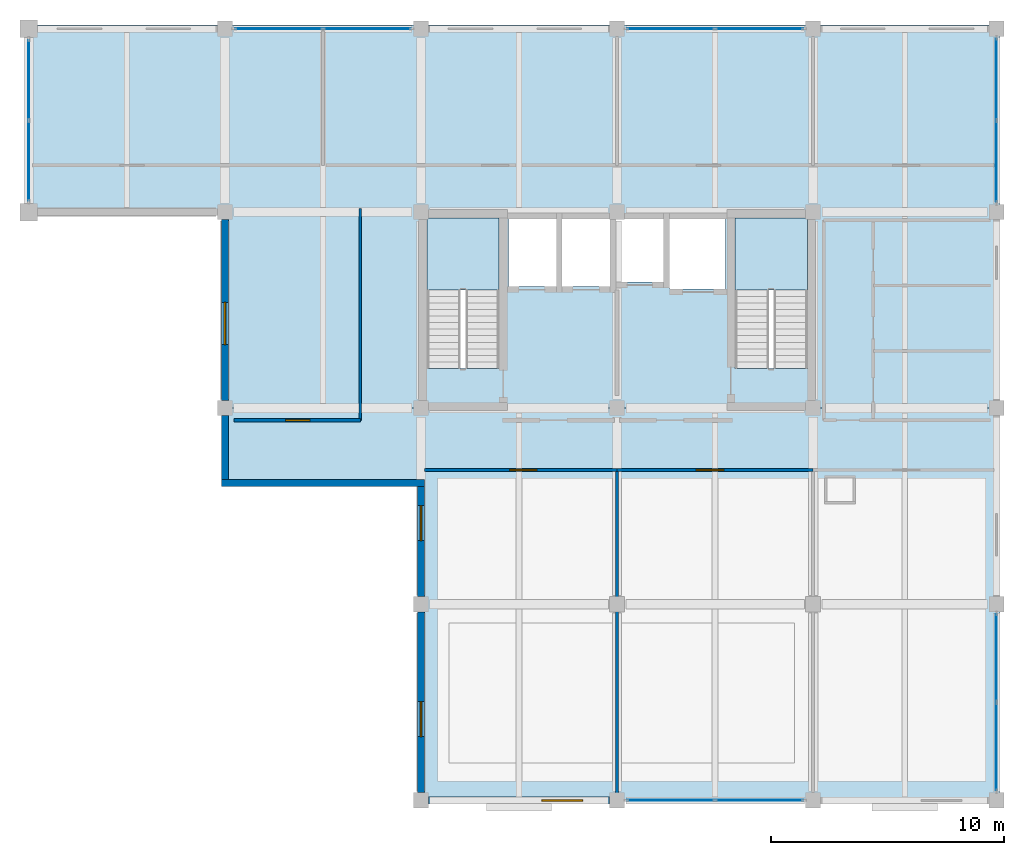
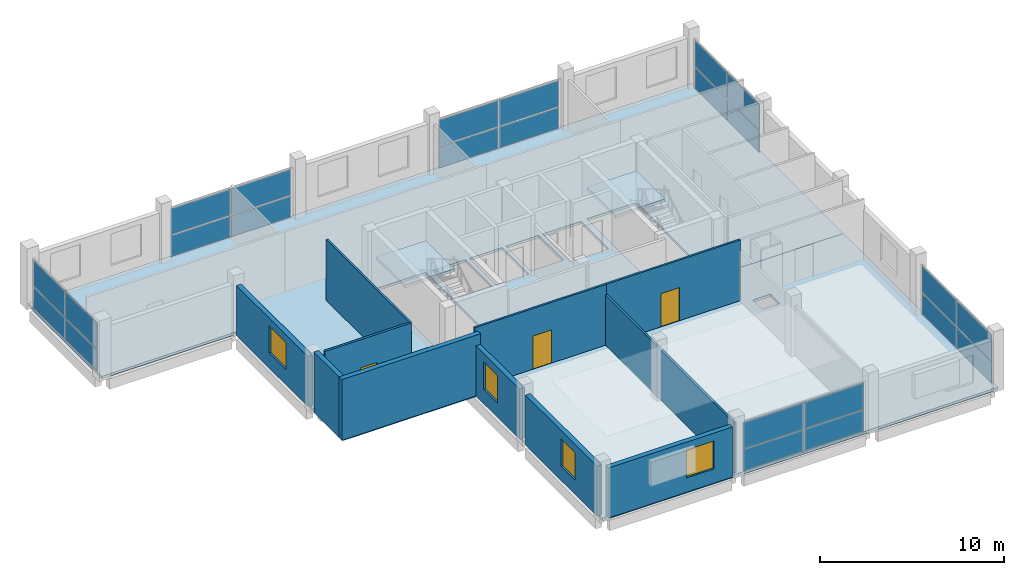
# One storey, part 6 of 9: 24 plates, 11 walls, 4 slabs, 4 windows, 3 doors, 7 openings, 8 elements without a shape of their own.
"""IFC4 building model written with IfcOpenShell, lengths in metres."""

from ifc_helpers import new_model, si_unit, direction, frame, frame_2d, origin, origin_2d, place, context, subcontext, project, spatial, polyline, rectangle, outline, extrude, material, layer, layer_set, type_object, element, fill, aggregate, save


model = new_model("IFC4")

# Units and contexts
model_context = context("Model", 3, precision=1e-05, world=origin(), true_north=direction((0.0, 1.0)))
body_context = subcontext(model_context, "Body", "Model", "MODEL_VIEW")
ifc_project = project(units=[si_unit("LENGTHUNIT", "METRE"), si_unit("AREAUNIT", "SQUARE_METRE"), si_unit("VOLUMEUNIT", "CUBIC_METRE"), si_unit("PLANEANGLEUNIT", "RADIAN"), si_unit("MASSUNIT", "GRAM", prefix="KILO")], contexts=[model_context])

# Site, building, storey
site_placement = place(None, origin())
site = spatial("IfcSite", under=ifc_project, at=site_placement, CompositionType="ELEMENT")
building_placement = place(site_placement, origin())
building = spatial("IfcBuilding", under=site, at=building_placement, Name="Brinegate Botanical Conservatory", CompositionType="ELEMENT")
storey_placement = place(building_placement, frame((0.0, 0.0, 57.0)))
storey = spatial("IfcBuildingStorey", under=building, at=storey_placement, Name="L14", CompositionType="ELEMENT", Elevation=57.0)

# Curtain wall, plates
ifc_material_1 = material(Name="Thermally broken anodised aluminium AW-6063-T6", Category="aluminium")
curtain_wall_type = type_object("IfcCurtainWallType", Name="CW_CW-TW1", PredefinedType="USERDEFINED", material=ifc_material_1)
curtain_wall_1_placement = place(storey_placement, origin())
curtain_wall_1 = element("IfcCurtainWall", 1, at=curtain_wall_1_placement, inside=storey, type_object=curtain_wall_type, Name="Research lab north curtain wall L14.2", ObjectType="FACTORY CURTAIN WALL", PredefinedType="USERDEFINED")
ifc_material_2 = material(Name="Double-silver Low-E laminated safety glass", Category="glass")
ifc_layer_1 = layer(ifc_material_2, 0.035888671875, Name="Double-silver Low-E laminated safety glass", Category="glass")
ifc_layer_set_1 = layer_set([ifc_layer_1], Name="Double-silver Low-E laminated safety glass")
plate_type = type_object("IfcPlateType", Name="Plate_PN-36", PredefinedType="CURTAIN_PANEL", material=ifc_layer_set_1)
plate_1_placement = place(storey_placement, frame((132.699951171875, 111.449951171875, 0.06982421875), z_axis=(0.0, 0.0, 1.0), x_axis=(1.0, 0.0, 0.0)))
plate_1 = element("IfcPlate", 2, at=plate_1_placement, type_object=plate_type, Name="CW-TW1 panel 1.1", PredefinedType="CURTAIN_PANEL", context=body_context, shape_type="SweptSolid", body=[
    extrude(rectangle(XDim=3.72998046875, YDim=0.035888671875, at=origin_2d()), origin(), (0.0, 0.0, 1.0), 1.388916015625),
])
plate_2_placement = place(storey_placement, frame((132.699951171875, 111.449951171875, 1.52880859375), z_axis=(0.0, 0.0, 1.0), x_axis=(1.0, 0.0, 0.0)))
plate_2 = element("IfcPlate", 3, at=plate_2_placement, type_object=plate_type, Name="CW-TW1 panel 1.2", PredefinedType="CURTAIN_PANEL", context=body_context, shape_type="SweptSolid", body=[
    extrude(rectangle(XDim=3.72998046875, YDim=0.035888671875, at=origin_2d()), origin(), (0.0, 0.0, 1.0), 1.720947265625),
])
plate_3_placement = place(storey_placement, frame((136.5, 111.449951171875, 0.06982421875), z_axis=(0.0, 0.0, 1.0), x_axis=(1.0, 0.0, 0.0)))
plate_3 = element("IfcPlate", 4, at=plate_3_placement, type_object=plate_type, Name="CW-TW1 panel 2.1", PredefinedType="CURTAIN_PANEL", context=body_context, shape_type="SweptSolid", body=[
    extrude(rectangle(XDim=3.72998046875, YDim=0.035888671875, at=origin_2d()), origin(), (0.0, 0.0, 1.0), 1.388916015625),
])
plate_4_placement = place(storey_placement, frame((136.5, 111.449951171875, 1.52880859375), z_axis=(0.0, 0.0, 1.0), x_axis=(1.0, 0.0, 0.0)))
plate_4 = element("IfcPlate", 5, at=plate_4_placement, type_object=plate_type, Name="CW-TW1 panel 2.2", PredefinedType="CURTAIN_PANEL", context=body_context, shape_type="SweptSolid", body=[
    extrude(rectangle(XDim=3.72998046875, YDim=0.035888671875, at=origin_2d()), origin(), (0.0, 0.0, 1.0), 1.720947265625),
])
aggregate(curtain_wall_1, [plate_1, plate_2, plate_3, plate_4])

curtain_wall_2_placement = place(storey_placement, origin())
curtain_wall_2 = element("IfcCurtainWall", 6, at=curtain_wall_2_placement, inside=storey, type_object=curtain_wall_type, Name="Research lab north curtain wall L14.4", ObjectType="FACTORY CURTAIN WALL", PredefinedType="USERDEFINED")
plate_5_placement = place(storey_placement, frame((149.5, 111.449951171875, 0.06982421875), z_axis=(0.0, 0.0, 1.0), x_axis=(1.0, 0.0, 0.0)))
plate_5 = element("IfcPlate", 7, at=plate_5_placement, type_object=plate_type, Name="CW-TW1 panel 1.1", PredefinedType="CURTAIN_PANEL", context=body_context, shape_type="SweptSolid", body=[
    extrude(rectangle(XDim=3.72998046875, YDim=0.035888671875, at=origin_2d()), origin(), (0.0, 0.0, 1.0), 1.388916015625),
])
plate_6_placement = place(storey_placement, frame((149.5, 111.449951171875, 1.52880859375), z_axis=(0.0, 0.0, 1.0), x_axis=(1.0, 0.0, 0.0)))
plate_6 = element("IfcPlate", 8, at=plate_6_placement, type_object=plate_type, Name="CW-TW1 panel 1.2", PredefinedType="CURTAIN_PANEL", context=body_context, shape_type="SweptSolid", body=[
    extrude(rectangle(XDim=3.72998046875, YDim=0.035888671875, at=origin_2d()), origin(), (0.0, 0.0, 1.0), 1.720947265625),
])
plate_7_placement = place(storey_placement, frame((153.300048828125, 111.449951171875, 0.06982421875), z_axis=(0.0, 0.0, 1.0), x_axis=(1.0, 0.0, 0.0)))
plate_7 = element("IfcPlate", 9, at=plate_7_placement, type_object=plate_type, Name="CW-TW1 panel 2.1", PredefinedType="CURTAIN_PANEL", context=body_context, shape_type="SweptSolid", body=[
    extrude(rectangle(XDim=3.72998046875, YDim=0.035888671875, at=origin_2d()), origin(), (0.0, 0.0, 1.0), 1.388916015625),
])
plate_8_placement = place(storey_placement, frame((153.300048828125, 111.449951171875, 1.52880859375), z_axis=(0.0, 0.0, 1.0), x_axis=(1.0, 0.0, 0.0)))
plate_8 = element("IfcPlate", 10, at=plate_8_placement, type_object=plate_type, Name="CW-TW1 panel 2.2", PredefinedType="CURTAIN_PANEL", context=body_context, shape_type="SweptSolid", body=[
    extrude(rectangle(XDim=3.72998046875, YDim=0.035888671875, at=origin_2d()), origin(), (0.0, 0.0, 1.0), 1.720947265625),
])
aggregate(curtain_wall_2, [plate_5, plate_6, plate_7, plate_8])

curtain_wall_3_placement = place(storey_placement, origin())
curtain_wall_3 = element("IfcCurtainWall", 11, at=curtain_wall_3_placement, inside=storey, type_object=curtain_wall_type, Name="Tower south curtain wall L14.2", ObjectType="FACTORY CURTAIN WALL", PredefinedType="USERDEFINED")
plate_9_placement = place(storey_placement, frame((153.300048828125, 78.39990234375, 0.06982421875), z_axis=(0.0, 0.0, 1.0), x_axis=(-1.0, 0.0, 0.0)))
plate_9 = element("IfcPlate", 12, at=plate_9_placement, type_object=plate_type, Name="CW-TW1 panel 1.1", PredefinedType="CURTAIN_PANEL", context=body_context, shape_type="SweptSolid", body=[
    extrude(rectangle(XDim=3.72998046875, YDim=0.035888671875, at=origin_2d()), origin(), (0.0, 0.0, 1.0), 1.388916015625),
])
plate_10_placement = place(storey_placement, frame((153.300048828125, 78.39990234375, 1.52880859375), z_axis=(0.0, 0.0, 1.0), x_axis=(-1.0, 0.0, 0.0)))
plate_10 = element("IfcPlate", 13, at=plate_10_placement, type_object=plate_type, Name="CW-TW1 panel 1.2", PredefinedType="CURTAIN_PANEL", context=body_context, shape_type="SweptSolid", body=[
    extrude(rectangle(XDim=3.72998046875, YDim=0.035888671875, at=origin_2d()), origin(), (0.0, 0.0, 1.0), 1.720947265625),
])
plate_11_placement = place(storey_placement, frame((149.5, 78.39990234375, 0.06982421875), z_axis=(0.0, 0.0, 1.0), x_axis=(-1.0, 0.0, 0.0)))
plate_11 = element("IfcPlate", 14, at=plate_11_placement, type_object=plate_type, Name="CW-TW1 panel 2.1", PredefinedType="CURTAIN_PANEL", context=body_context, shape_type="SweptSolid", body=[
    extrude(rectangle(XDim=3.72998046875, YDim=0.035888671875, at=origin_2d()), origin(), (0.0, 0.0, 1.0), 1.388916015625),
])
plate_12_placement = place(storey_placement, frame((149.5, 78.39990234375, 1.52880859375), z_axis=(0.0, 0.0, 1.0), x_axis=(-1.0, 0.0, 0.0)))
plate_12 = element("IfcPlate", 15, at=plate_12_placement, type_object=plate_type, Name="CW-TW1 panel 2.2", PredefinedType="CURTAIN_PANEL", context=body_context, shape_type="SweptSolid", body=[
    extrude(rectangle(XDim=3.72998046875, YDim=0.035888671875, at=origin_2d()), origin(), (0.0, 0.0, 1.0), 1.720947265625),
])
aggregate(curtain_wall_3, [plate_9, plate_10, plate_11, plate_12])

curtain_wall_4_placement = place(storey_placement, origin())
curtain_wall_4 = element("IfcCurtainWall", 16, at=curtain_wall_4_placement, inside=storey, type_object=curtain_wall_type, Name="Tower east curtain wall L14.1", ObjectType="FACTORY CURTAIN WALL", PredefinedType="USERDEFINED")
plate_13_placement = place(storey_placement, frame((163.449951171875, 84.5, 0.06982421875), z_axis=(0.0, 0.0, 1.0), x_axis=(0.0, -1.0, 0.0)))
plate_13 = element("IfcPlate", 17, at=plate_13_placement, type_object=plate_type, Name="CW-TW1 panel 1.1", PredefinedType="CURTAIN_PANEL", context=body_context, shape_type="SweptSolid", body=[
    extrude(rectangle(XDim=3.72998046875, YDim=0.035888671875, at=origin_2d()), origin(), (0.0, 0.0, 1.0), 1.388916015625),
])
plate_14_placement = place(storey_placement, frame((163.449951171875, 84.5, 1.52880859375), z_axis=(0.0, 0.0, 1.0), x_axis=(0.0, -1.0, 0.0)))
plate_14 = element("IfcPlate", 18, at=plate_14_placement, type_object=plate_type, Name="CW-TW1 panel 1.2", PredefinedType="CURTAIN_PANEL", context=body_context, shape_type="SweptSolid", body=[
    extrude(rectangle(XDim=3.72998046875, YDim=0.035888671875, at=origin_2d()), origin(), (0.0, 0.0, 1.0), 1.720947265625),
])
plate_15_placement = place(storey_placement, frame((163.449951171875, 80.699951171875, 0.06982421875), z_axis=(0.0, 0.0, 1.0), x_axis=(0.0, -1.0, 0.0)))
plate_15 = element("IfcPlate", 19, at=plate_15_placement, type_object=plate_type, Name="CW-TW1 panel 2.1", PredefinedType="CURTAIN_PANEL", context=body_context, shape_type="SweptSolid", body=[
    extrude(rectangle(XDim=3.72998046875, YDim=0.035888671875, at=origin_2d()), origin(), (0.0, 0.0, 1.0), 1.388916015625),
])
plate_16_placement = place(storey_placement, frame((163.449951171875, 80.699951171875, 1.52880859375), z_axis=(0.0, 0.0, 1.0), x_axis=(0.0, -1.0, 0.0)))
plate_16 = element("IfcPlate", 20, at=plate_16_placement, type_object=plate_type, Name="CW-TW1 panel 2.2", PredefinedType="CURTAIN_PANEL", context=body_context, shape_type="SweptSolid", body=[
    extrude(rectangle(XDim=3.72998046875, YDim=0.035888671875, at=origin_2d()), origin(), (0.0, 0.0, 1.0), 1.720947265625),
])
aggregate(curtain_wall_4, [plate_13, plate_14, plate_15, plate_16])

curtain_wall_5_placement = place(storey_placement, origin())
curtain_wall_5 = element("IfcCurtainWall", 21, at=curtain_wall_5_placement, inside=storey, type_object=curtain_wall_type, Name="Tower east curtain wall L14.4", ObjectType="FACTORY CURTAIN WALL", PredefinedType="USERDEFINED")
plate_17_placement = place(storey_placement, frame((163.449951171875, 109.28759765625, 0.06982421875), z_axis=(0.0, 0.0, 1.0), x_axis=(0.0, -1.0, 0.0)))
plate_17 = element("IfcPlate", 22, at=plate_17_placement, type_object=plate_type, Name="CW-TW1 panel 1.1", PredefinedType="CURTAIN_PANEL", context=body_context, shape_type="SweptSolid", body=[
    extrude(rectangle(XDim=3.455078125, YDim=0.035888671875, at=origin_2d()), origin(), (0.0, 0.0, 1.0), 1.388916015625),
])
plate_18_placement = place(storey_placement, frame((163.449951171875, 109.28759765625, 1.52880859375), z_axis=(0.0, 0.0, 1.0), x_axis=(0.0, -1.0, 0.0)))
plate_18 = element("IfcPlate", 23, at=plate_18_placement, type_object=plate_type, Name="CW-TW1 panel 1.2", PredefinedType="CURTAIN_PANEL", context=body_context, shape_type="SweptSolid", body=[
    extrude(rectangle(XDim=3.455078125, YDim=0.035888671875, at=origin_2d()), origin(), (0.0, 0.0, 1.0), 1.720947265625),
])
plate_19_placement = place(storey_placement, frame((163.449951171875, 105.762451171875, 0.06982421875), z_axis=(0.0, 0.0, 1.0), x_axis=(0.0, -1.0, 0.0)))
plate_19 = element("IfcPlate", 24, at=plate_19_placement, type_object=plate_type, Name="CW-TW1 panel 2.1", PredefinedType="CURTAIN_PANEL", context=body_context, shape_type="SweptSolid", body=[
    extrude(rectangle(XDim=3.455078125, YDim=0.035888671875, at=origin_2d()), origin(), (0.0, 0.0, 1.0), 1.388916015625),
])
plate_20_placement = place(storey_placement, frame((163.449951171875, 105.762451171875, 1.52880859375), z_axis=(0.0, 0.0, 1.0), x_axis=(0.0, -1.0, 0.0)))
plate_20 = element("IfcPlate", 25, at=plate_20_placement, type_object=plate_type, Name="CW-TW1 panel 2.2", PredefinedType="CURTAIN_PANEL", context=body_context, shape_type="SweptSolid", body=[
    extrude(rectangle(XDim=3.455078125, YDim=0.035888671875, at=origin_2d()), origin(), (0.0, 0.0, 1.0), 1.720947265625),
])
aggregate(curtain_wall_5, [plate_17, plate_18, plate_19, plate_20])

curtain_wall_6_placement = place(storey_placement, origin())
curtain_wall_6 = element("IfcCurtainWall", 26, at=curtain_wall_6_placement, inside=storey, type_object=curtain_wall_type, Name="Tower north-west curtain wall L14", ObjectType="FACTORY CURTAIN WALL", PredefinedType="USERDEFINED")
plate_21_placement = place(storey_placement, frame((122.0, 105.78759765625, 0.06982421875), z_axis=(0.0, 0.0, 1.0), x_axis=(0.0, 1.0, 0.0)))
plate_21 = element("IfcPlate", 27, at=plate_21_placement, type_object=plate_type, Name="CW-TW1 panel 1.1", PredefinedType="CURTAIN_PANEL", context=body_context, shape_type="SweptSolid", body=[
    extrude(rectangle(XDim=3.405029296875, YDim=0.035888671875, at=origin_2d()), origin(), (0.0, 0.0, 1.0), 1.388916015625),
])
plate_22_placement = place(storey_placement, frame((122.0, 105.78759765625, 1.52880859375), z_axis=(0.0, 0.0, 1.0), x_axis=(0.0, 1.0, 0.0)))
plate_22 = element("IfcPlate", 28, at=plate_22_placement, type_object=plate_type, Name="CW-TW1 panel 1.2", PredefinedType="CURTAIN_PANEL", context=body_context, shape_type="SweptSolid", body=[
    extrude(rectangle(XDim=3.405029296875, YDim=0.035888671875, at=origin_2d()), origin(), (0.0, 0.0, 1.0), 1.720947265625),
])
plate_23_placement = place(storey_placement, frame((122.0, 109.262451171875, 0.06982421875), z_axis=(0.0, 0.0, 1.0), x_axis=(0.0, 1.0, 0.0)))
plate_23 = element("IfcPlate", 29, at=plate_23_placement, type_object=plate_type, Name="CW-TW1 panel 2.1", PredefinedType="CURTAIN_PANEL", context=body_context, shape_type="SweptSolid", body=[
    extrude(rectangle(XDim=3.405029296875, YDim=0.035888671875, at=origin_2d()), origin(), (0.0, 0.0, 1.0), 1.388916015625),
])
plate_24_placement = place(storey_placement, frame((122.0, 109.262451171875, 1.52880859375), z_axis=(0.0, 0.0, 1.0), x_axis=(0.0, 1.0, 0.0)))
plate_24 = element("IfcPlate", 30, at=plate_24_placement, type_object=plate_type, Name="CW-TW1 panel 2.2", PredefinedType="CURTAIN_PANEL", context=body_context, shape_type="SweptSolid", body=[
    extrude(rectangle(XDim=3.405029296875, YDim=0.035888671875, at=origin_2d()), origin(), (0.0, 0.0, 1.0), 1.720947265625),
])
aggregate(curtain_wall_6, [plate_21, plate_22, plate_23, plate_24])

# Slabs
ifc_material_3 = material(Name="Concrete C40/50", Category="concrete")
ifc_layer_2 = layer(ifc_material_3, 0.169921875, Name="Concrete C40/50", Category="concrete")
ifc_layer_set_2 = layer_set([ifc_layer_2], Name="Concrete C40/50")
slab_type_1 = type_object("IfcSlabType", Name="Slab_SL-FL170", PredefinedType="FLOOR", material=ifc_layer_set_2)
slab_1_placement = place(storey_placement, frame((0.0, 0.0, -0.169921875)))
element("IfcSlab", 31, at=slab_1_placement, inside=storey, type_object=slab_type_1, Name="Research Tower L14 north structural floor slab", PredefinedType="FLOOR", context=body_context, shape_type="SweptSolid", body=[
    extrude(outline(polyline([(130.39990234375, 103.60009765625), (122.0, 103.60009765625), (122.0, 111.60009765625), (163.60009765625, 111.60009765625), (163.60009765625, 95.199951171875), (130.39990234375, 95.199951171875), (130.39990234375, 103.60009765625)]), holes=[polyline([(142.14990234375, 96.89990234375), (142.14990234375, 103.35009765625), (139.050048828125, 103.35009765625), (139.050048828125, 96.89990234375), (142.14990234375, 96.89990234375)]), polyline([(155.35009765625, 96.89990234375), (155.35009765625, 103.35009765625), (152.25, 103.35009765625), (152.25, 96.89990234375), (155.35009765625, 96.89990234375)]), polyline([(142.550048828125, 100.39990234375), (144.60009765625, 100.39990234375), (144.60009765625, 103.300048828125), (142.550048828125, 103.300048828125), (142.550048828125, 100.39990234375)]), polyline([(144.85009765625, 100.39990234375), (146.89990234375, 100.39990234375), (146.89990234375, 103.300048828125), (144.85009765625, 103.300048828125), (144.85009765625, 100.39990234375)]), polyline([(147.14990234375, 100.60009765625), (149.199951171875, 100.60009765625), (149.199951171875, 103.300048828125), (147.14990234375, 103.300048828125), (147.14990234375, 100.60009765625)]), polyline([(149.449951171875, 100.300048828125), (151.85009765625, 100.300048828125), (151.85009765625, 103.300048828125), (149.449951171875, 103.300048828125), (149.449951171875, 100.300048828125)])]), origin(), (0.0, 0.0, 1.0), 0.169921875),
])
ifc_layer_3 = layer(ifc_material_3, 0.175048828125, Name="Concrete C40/50", Category="concrete")
ifc_layer_set_3 = layer_set([ifc_layer_3], Name="Concrete C40/50")
slab_type_2 = type_object("IfcSlabType", Name="Slab_SL-FL175", PredefinedType="FLOOR", material=ifc_layer_set_3)
slab_2_placement = place(storey_placement, frame((0.0, 0.0, -0.175048828125)))
element("IfcSlab", 32, at=slab_2_placement, inside=storey, type_object=slab_type_2, Name="Research Tower L14 south structural floor slab", PredefinedType="FLOOR", context=body_context, shape_type="SweptSolid", body=[
    extrude(outline(polyline([(163.60009765625, 78.39990234375), (138.800048828125, 78.39990234375), (138.800048828125, 92.0), (130.39990234375, 92.0), (130.39990234375, 95.199951171875), (163.60009765625, 95.199951171875), (163.60009765625, 78.39990234375)]), holes=[polyline([(156.199951171875, 91.199951171875), (157.300048828125, 91.199951171875), (157.300048828125, 92.199951171875), (156.199951171875, 92.199951171875), (156.199951171875, 91.199951171875)])]), origin(), (0.0, 0.0, 1.0), 0.175048828125),
])

# Stair, slab
stair_type = type_object("IfcStairType", Name="Stair_HT-4200", PredefinedType="HALF_TURN_STAIR", material=ifc_material_3)
stair_1_placement = place(storey_placement, origin())
stair_1 = element("IfcStair", 33, at=stair_1_placement, inside=storey, type_object=stair_type, Name="L14 Tower West Smoke-Proof Stair ST1", PredefinedType="HALF_TURN_STAIR")
ifc_layer_4 = layer(ifc_material_3, 0.199951171875, Name="Concrete C40/50", Category="concrete")
ifc_layer_set_4 = layer_set([ifc_layer_4], Name="Concrete C40/50")
slab_type_3 = type_object("IfcSlabType", Name="Slab_SL-LD200", PredefinedType="LANDING", material=ifc_layer_set_4)
slab_3_placement = place(storey_placement, frame((0.0, 0.0, 1.89990234375)))
slab_3 = element("IfcSlab", 34, at=slab_3_placement, type_object=slab_type_3, Name="ST1 landing 1", PredefinedType="LANDING", context=body_context, shape_type="SweptSolid", body=[
    extrude(outline(polyline([(142.14990234375, 100.260009765625), (142.14990234375, 103.35009765625), (139.050048828125, 103.35009765625), (139.050048828125, 100.260009765625), (142.14990234375, 100.260009765625)])), origin(), (0.0, 0.0, 1.0), 0.2001953125),
])
aggregate(stair_1, [slab_3])

stair_2_placement = place(storey_placement, origin())
stair_2 = element("IfcStair", 35, at=stair_2_placement, inside=storey, type_object=stair_type, Name="L14 Tower East Smoke-Proof Stair ST2", PredefinedType="HALF_TURN_STAIR")
slab_4_placement = place(storey_placement, frame((0.0, 0.0, 1.89990234375)))
slab_4 = element("IfcSlab", 36, at=slab_4_placement, type_object=slab_type_3, Name="ST2 landing 1", PredefinedType="LANDING", context=body_context, shape_type="SweptSolid", body=[
    extrude(outline(polyline([(155.35009765625, 100.260009765625), (155.35009765625, 103.35009765625), (152.25, 103.35009765625), (152.25, 100.260009765625), (155.35009765625, 100.260009765625)])), origin(), (0.0, 0.0, 1.0), 0.2001953125),
])
aggregate(stair_2, [slab_4])

# Wall, opening, window
ifc_material_4 = material(Name="Insulated Minnan red clay brick masonry", Category="masonry")
ifc_layer_5 = layer(ifc_material_4, 0.300048828125, Name="Insulated Minnan red clay brick masonry", Category="masonry")
ifc_layer_set_5 = layer_set([ifc_layer_5], Name="Insulated Minnan red clay brick masonry")
wall_type_1 = type_object("IfcWallType", Name="Wall_EW-300B", PredefinedType="STANDARD", material=ifc_layer_set_5)
wall_1_placement = place(storey_placement, frame((146.875, 78.39990234375, 0.0), z_axis=(0.0, 0.0, 1.0), x_axis=(-1.0, 0.0, 0.0)))
wall_1 = element("IfcWall", 37, at=wall_1_placement, inside=storey, type_object=wall_type_1, Name="Tower south facade wall L14.1", PredefinedType="STANDARD", context=body_context, shape_type="SweptSolid", body=[
    extrude(rectangle(XDim=7.75, YDim=0.300048828125, at=frame_2d((3.875, 0.0))), origin(), (0.0, 0.0, 1.0), 3.320068359375),
])
opening_1_placement = place(wall_1_placement, frame((1.14990234375, 0.0, 0.949951171875)))
opening_1 = element("IfcOpeningElement", 38, at=opening_1_placement, cuts=wall_1, Name="Opening WN-28", PredefinedType="OPENING", context=body_context, shape_type="SweptSolid", body=[
    extrude(rectangle(XDim=1.75, YDim=1.85009765625, at=frame_2d((0.875, 0.925048828125))), frame((0.0, 0.159912109375, 0.0), z_axis=(0.0, -1.0, 0.0), x_axis=(1.0, 0.0, 0.0)), (0.0, 0.0, 1.0), 0.320068359375),
])
ifc_material_5 = material(Name="Thermally broken aluminium-framed Low-E glass", Category="aluminium")
window_type_1 = type_object("IfcWindowType", Name="Win_WN-28", PartitioningType="DOUBLE_PANEL_VERTICAL", PredefinedType="WINDOW", material=ifc_material_5)
window_1_placement = place(opening_1_placement, origin())
window_1 = element("IfcWindow", 39, at=window_1_placement, inside=storey, type_object=window_type_1, Name="Tower south window L14.1", OverallHeight=1.85009765625, OverallWidth=1.75, PartitioningType="DOUBLE_PANEL_VERTICAL", PredefinedType="WINDOW", context=body_context, shape_type="SweptSolid", body=[
    extrude(rectangle(XDim=1.75, YDim=1.85009765625, at=frame_2d((0.875, 0.925048828125))), frame((0.0, 0.030029296875, 0.0), z_axis=(0.0, -1.0, 0.0), x_axis=(1.0, 0.0, 0.0)), (0.0, 0.0, 1.0), 0.06005859375),
])
fill(opening_1, window_1)

# Wall
wall_2_placement = place(storey_placement, frame((130.39990234375, 92.14990234375, 0.0), z_axis=(0.0, 0.0, 1.0), x_axis=(0.0, 1.0, 0.0)))
element("IfcWall", 40, at=wall_2_placement, inside=storey, type_object=wall_type_1, Name="Tower west corridor end wall L14", PredefinedType="STANDARD", context=body_context, shape_type="SweptSolid", body=[
    extrude(rectangle(XDim=2.72509765625, YDim=0.300048828125, at=frame_2d((1.362548828125, 0.0))), origin(), (0.0, 0.0, 1.0), 4.02001953125),
])

# Wall, opening, window
wall_3_placement = place(storey_placement, frame((138.800048828125, 78.72509765625, 0.0), z_axis=(0.0, 0.0, 1.0), x_axis=(0.0, 1.0, 0.0)))
wall_3 = element("IfcWall", 41, at=wall_3_placement, inside=storey, type_object=wall_type_1, Name="Tower west wall L14.S1", PredefinedType="STANDARD", context=body_context, shape_type="SweptSolid", body=[
    extrude(rectangle(XDim=7.75, YDim=0.300048828125, at=frame_2d((3.875, 0.0))), origin(), (0.0, 0.0, 1.0), 3.320068359375),
])
opening_2_placement = place(wall_3_placement, frame((2.39990234375, 0.0, 0.949951171875)))
opening_2 = element("IfcOpeningElement", 42, at=opening_2_placement, cuts=wall_3, Name="Opening WN-04", PredefinedType="OPENING", context=body_context, shape_type="SweptSolid", body=[
    extrude(rectangle(XDim=1.5, YDim=1.800048828125, at=frame_2d((0.75, 0.89990234375))), frame((0.0, 0.159912109375, 0.0), z_axis=(0.0, -1.0, 0.0), x_axis=(1.0, 0.0, 0.0)), (0.0, 0.0, 1.0), 0.320068359375),
])
window_type_2 = type_object("IfcWindowType", Name="Win_WN-04", PartitioningType="DOUBLE_PANEL_VERTICAL", PredefinedType="WINDOW", material=ifc_material_5)
window_2_placement = place(opening_2_placement, origin())
window_2 = element("IfcWindow", 43, at=window_2_placement, inside=storey, type_object=window_type_2, Name="Tower west window L14.S1", OverallHeight=1.800048828125, OverallWidth=1.5, PartitioningType="DOUBLE_PANEL_VERTICAL", PredefinedType="WINDOW", context=body_context, shape_type="SweptSolid", body=[
    extrude(rectangle(XDim=1.5, YDim=1.800048828125, at=frame_2d((0.75, 0.89990234375))), frame((0.0, 0.030029296875, 0.0), z_axis=(0.0, -1.0, 0.0), x_axis=(1.0, 0.0, 0.0)), (0.0, 0.0, 1.0), 0.06005859375),
])
fill(opening_2, window_2)

wall_4_placement = place(storey_placement, frame((138.800048828125, 87.125, 0.0), z_axis=(0.0, 0.0, 1.0), x_axis=(0.0, 1.0, 0.0)))
wall_4 = element("IfcWall", 44, at=wall_4_placement, inside=storey, type_object=wall_type_1, Name="Tower west wall L14.S2", PredefinedType="STANDARD", context=body_context, shape_type="SweptSolid", body=[
    extrude(rectangle(XDim=4.72509765625, YDim=0.300048828125, at=frame_2d((2.362548828125, 0.0))), origin(), (0.0, 0.0, 1.0), 3.320068359375),
])
opening_3_placement = place(wall_4_placement, frame((2.39990234375, 0.0, 0.949951171875)))
opening_3 = element("IfcOpeningElement", 45, at=opening_3_placement, cuts=wall_4, Name="Opening WN-04", PredefinedType="OPENING", context=body_context, shape_type="SweptSolid", body=[
    extrude(rectangle(XDim=1.5, YDim=1.800048828125, at=frame_2d((0.75, 0.89990234375))), frame((0.0, 0.159912109375, 0.0), z_axis=(0.0, -1.0, 0.0), x_axis=(1.0, 0.0, 0.0)), (0.0, 0.0, 1.0), 0.320068359375),
])
window_3_placement = place(opening_3_placement, origin())
window_3 = element("IfcWindow", 46, at=window_3_placement, inside=storey, type_object=window_type_2, Name="Tower west window L14.S2", OverallHeight=1.800048828125, OverallWidth=1.5, PartitioningType="DOUBLE_PANEL_VERTICAL", PredefinedType="WINDOW", context=body_context, shape_type="SweptSolid", body=[
    extrude(rectangle(XDim=1.5, YDim=1.800048828125, at=frame_2d((0.75, 0.89990234375))), frame((0.0, 0.030029296875, 0.0), z_axis=(0.0, -1.0, 0.0), x_axis=(1.0, 0.0, 0.0)), (0.0, 0.0, 1.0), 0.06005859375),
])
fill(opening_3, window_3)

wall_5_placement = place(storey_placement, frame((130.39990234375, 95.52490234375, 0.0), z_axis=(0.0, 0.0, 1.0), x_axis=(0.0, 1.0, 0.0)))
wall_5 = element("IfcWall", 47, at=wall_5_placement, inside=storey, type_object=wall_type_1, Name="Tower mid-west wall L14", PredefinedType="STANDARD", context=body_context, shape_type="SweptSolid", body=[
    extrude(rectangle(XDim=7.75, YDim=0.300048828125, at=frame_2d((3.875, 0.0))), origin(), (0.0, 0.0, 1.0), 3.320068359375),
])
opening_4_placement = place(wall_5_placement, frame((2.39990234375, 0.0, 1.0)))
opening_4 = element("IfcOpeningElement", 48, at=opening_4_placement, cuts=wall_5, Name="Opening WN-05", PredefinedType="OPENING", context=body_context, shape_type="SweptSolid", body=[
    extrude(rectangle(XDim=1.800048828125, YDim=1.800048828125, at=frame_2d((0.89990234375, 0.89990234375))), frame((0.0, 0.159912109375, 0.0), z_axis=(0.0, -1.0, 0.0), x_axis=(1.0, 0.0, 0.0)), (0.0, 0.0, 1.0), 0.320068359375),
])
window_type_3 = type_object("IfcWindowType", Name="Win_WN-05", PartitioningType="DOUBLE_PANEL_VERTICAL", PredefinedType="WINDOW", material=ifc_material_5)
window_4_placement = place(opening_4_placement, origin())
window_4 = element("IfcWindow", 49, at=window_4_placement, inside=storey, type_object=window_type_3, Name="Tower mid-west window L14", OverallHeight=1.800048828125, OverallWidth=1.800048828125, PartitioningType="DOUBLE_PANEL_VERTICAL", PredefinedType="WINDOW", context=body_context, shape_type="SweptSolid", body=[
    extrude(rectangle(XDim=1.800048828125, YDim=1.800048828125, at=frame_2d((0.89990234375, 0.89990234375))), frame((0.0, 0.030029296875, 0.0), z_axis=(0.0, -1.0, 0.0), x_axis=(1.0, 0.0, 0.0)), (0.0, 0.0, 1.0), 0.06005859375),
])
fill(opening_4, window_4)

# Walls
wall_6_placement = place(storey_placement, frame((138.949951171875, 92.0, 0.0), z_axis=(0.0, 0.0, 1.0), x_axis=(-1.0, 0.0, 0.0)))
element("IfcWall", 50, at=wall_6_placement, inside=storey, type_object=wall_type_1, Name="Tower loggia setback return wall L14", PredefinedType="STANDARD", context=body_context, shape_type="SweptSolid", body=[
    extrude(rectangle(XDim=8.699951171875, YDim=0.300048828125, at=frame_2d((4.35009765625, 0.0))), origin(), (0.0, 0.0, 1.0), 4.02001953125),
])
ifc_material_6 = material(Name="Gypsum-clad steel-stud partition", Category="steel")
ifc_layer_6 = layer(ifc_material_6, 0.1201171875, Name="Gypsum-clad steel-stud partition", Category="steel")
ifc_layer_set_6 = layer_set([ifc_layer_6], Name="Gypsum-clad steel-stud partition")
wall_type_2 = type_object("IfcWallType", Name="Wall_PW-120", PredefinedType="PARTITIONING", material=ifc_layer_set_6)
wall_7_placement = place(storey_placement, frame((136.199951171875, 94.679931640625, 0.0), z_axis=(0.0, 0.0, 1.0), x_axis=(0.0, 1.0, 0.0)))
element("IfcWall", 51, at=wall_7_placement, inside=storey, type_object=wall_type_2, Name="Interior partition P-L14-XCORR-W", PredefinedType="PARTITIONING", context=body_context, shape_type="SweptSolid", body=[
    extrude(rectangle(XDim=9.070068359375, YDim=0.1201171875, at=frame_2d((4.53515625, 0.0))), origin(), (0.0, 0.0, 1.0), 4.02001953125),
])

# Wall, opening, door
wall_8_placement = place(storey_placement, frame((138.949951171875, 92.550048828125, 0.0), z_axis=(0.0, 0.0, 1.0), x_axis=(1.0, 0.0, 0.0)))
wall_8 = element("IfcWall", 52, at=wall_8_placement, inside=storey, type_object=wall_type_2, Name="Interior partition P-L14-SB-S1", PredefinedType="PARTITIONING", context=body_context, shape_type="SweptSolid", body=[
    extrude(rectangle(XDim=8.25, YDim=0.1201171875, at=frame_2d((4.125, 0.0))), origin(), (0.0, 0.0, 1.0), 4.02001953125),
])
opening_5_placement = place(wall_8_placement, frame((3.64990234375, 0.0, 0.0)))
opening_5 = element("IfcOpeningElement", 53, at=opening_5_placement, cuts=wall_8, Name="Opening DR-18", PredefinedType="OPENING", context=body_context, shape_type="SweptSolid", body=[
    extrude(rectangle(XDim=1.159912109375, YDim=2.199951171875, at=frame_2d((0.580078125, 1.10009765625))), frame((0.0, 0.070068359375, 0.0), z_axis=(0.0, -1.0, 0.0), x_axis=(1.0, 0.0, 0.0)), (0.0, 0.0, 1.0), 0.14013671875),
])
ifc_material_7 = material(Name="Hardwood office timber leaf", Category="wood")
door_type_1 = type_object("IfcDoorType", Name="Door_DR-18", OperationType="NOTDEFINED", PredefinedType="DOOR", material=ifc_material_7)
door_1_placement = place(opening_5_placement, origin())
door_1 = element("IfcDoor", 54, at=door_1_placement, inside=storey, type_object=door_type_1, Name="DR-P-L14-SB-S1-1", OperationType="SINGLE_SWING_RIGHT", OverallHeight=2.199951171875, OverallWidth=1.159912109375, PredefinedType="DOOR", context=body_context, shape_type="SweptSolid", body=[
    extrude(rectangle(XDim=1.159912109375, YDim=2.199951171875, at=frame_2d((0.580078125, 1.10009765625))), frame((0.0, 0.02490234375, 0.0), z_axis=(0.0, -1.0, 0.0), x_axis=(1.0, 0.0, 0.0)), (0.0, 0.0, 1.0), 0.050048828125),
])
fill(opening_5, door_1)

wall_9_placement = place(storey_placement, frame((147.199951171875, 92.550048828125, 0.0), z_axis=(0.0, 0.0, 1.0), x_axis=(1.0, 0.0, 0.0)))
wall_9 = element("IfcWall", 55, at=wall_9_placement, inside=storey, type_object=wall_type_2, Name="Interior partition P-L14-SB-S2", PredefinedType="PARTITIONING", context=body_context, shape_type="SweptSolid", body=[
    extrude(rectangle(XDim=8.400146484375, YDim=0.1201171875, at=frame_2d((4.2001953125, 0.0))), origin(), (0.0, 0.0, 1.0), 4.02001953125),
])
opening_6_placement = place(wall_9_placement, frame((3.39990234375, 0.0, 0.0)))
opening_6 = element("IfcOpeningElement", 56, at=opening_6_placement, cuts=wall_9, Name="Opening DR-18", PredefinedType="OPENING", context=body_context, shape_type="SweptSolid", body=[
    extrude(rectangle(XDim=1.159912109375, YDim=2.199951171875, at=frame_2d((0.580078125, 1.10009765625))), frame((0.0, 0.070068359375, 0.0), z_axis=(0.0, -1.0, 0.0), x_axis=(1.0, 0.0, 0.0)), (0.0, 0.0, 1.0), 0.14013671875),
])
door_2_placement = place(opening_6_placement, origin())
door_2 = element("IfcDoor", 57, at=door_2_placement, inside=storey, type_object=door_type_1, Name="DR-P-L14-SB-S2-1", OperationType="SINGLE_SWING_LEFT", OverallHeight=2.199951171875, OverallWidth=1.159912109375, PredefinedType="DOOR", context=body_context, shape_type="SweptSolid", body=[
    extrude(rectangle(XDim=1.159912109375, YDim=2.199951171875, at=frame_2d((0.580078125, 1.10009765625))), frame((0.0, 0.02490234375, 0.0), z_axis=(0.0, -1.0, 0.0), x_axis=(1.0, 0.0, 0.0)), (0.0, 0.0, 1.0), 0.050048828125),
])
fill(opening_6, door_2)

# Wall
ifc_layer_7 = layer(ifc_material_6, 0.135009765625, Name="Gypsum-clad steel-stud partition", Category="steel")
ifc_layer_set_7 = layer_set([ifc_layer_7], Name="Gypsum-clad steel-stud partition")
wall_type_3 = type_object("IfcWallType", Name="Wall_PW-135", PredefinedType="PARTITIONING", material=ifc_layer_set_7)
wall_10_placement = place(storey_placement, frame((147.199951171875, 78.550048828125, 0.0), z_axis=(0.0, 0.0, 1.0), x_axis=(0.0, 1.0, 0.0)))
element("IfcWall", 58, at=wall_10_placement, inside=storey, type_object=wall_type_3, Name="Interior partition P-L14-SDIV-S2", PredefinedType="PARTITIONING", context=body_context, shape_type="SweptSolid", body=[
    extrude(rectangle(XDim=14.0, YDim=0.135009765625, at=frame_2d((7.0, 0.0))), origin(), (0.0, 0.0, 1.0), 3.320068359375),
])

# Wall, opening, door
ifc_material_8 = material(Name="Gypsum-clad acoustic steel-stud partition", Category="steel")
ifc_layer_8 = layer(ifc_material_8, 0.14501953125, Name="Gypsum-clad acoustic steel-stud partition", Category="steel")
ifc_layer_set_8 = layer_set([ifc_layer_8], Name="Gypsum-clad acoustic steel-stud partition")
wall_type_4 = type_object("IfcWallType", Name="Wall_PW-150", PredefinedType="PARTITIONING", material=ifc_layer_set_8)
wall_11_placement = place(storey_placement, frame((130.800048828125, 94.679931640625, 0.0), z_axis=(0.0, 0.0, 1.0), x_axis=(1.0, 0.0, 0.0)))
wall_11 = element("IfcWall", 59, at=wall_11_placement, inside=storey, type_object=wall_type_4, Name="Interior partition P-L14-MIDW-S", PredefinedType="PARTITIONING", context=body_context, shape_type="SweptSolid", body=[
    extrude(rectangle(XDim=5.39990234375, YDim=0.14501953125, at=frame_2d((2.699951171875, 0.0))), origin(), (0.0, 0.0, 1.0), 4.02001953125),
])
opening_7_placement = place(wall_11_placement, frame((2.199951171875, 0.0, 0.0)))
opening_7 = element("IfcOpeningElement", 60, at=opening_7_placement, cuts=wall_11, Name="Opening DR-14", PredefinedType="OPENING", context=body_context, shape_type="SweptSolid", body=[
    extrude(rectangle(XDim=1.0400390625, YDim=2.159912109375, at=frame_2d((0.52001953125, 1.080078125))), frame((0.0, 0.08251953125, 0.0), z_axis=(0.0, -1.0, 0.0), x_axis=(1.0, 0.0, 0.0)), (0.0, 0.0, 1.0), 0.1650390625),
])
ifc_material_9 = material(Name="Hardwood laboratory timber leaf", Category="wood")
door_type_2 = type_object("IfcDoorType", Name="Door_DR-14", OperationType="NOTDEFINED", PredefinedType="DOOR", material=ifc_material_9)
door_3_placement = place(opening_7_placement, origin())
door_3 = element("IfcDoor", 61, at=door_3_placement, inside=storey, type_object=door_type_2, Name="DR-P-L14-MIDW-S-1", OperationType="SINGLE_SWING_RIGHT", OverallHeight=2.159912109375, OverallWidth=1.0400390625, PredefinedType="DOOR", context=body_context, shape_type="SweptSolid", body=[
    extrude(rectangle(XDim=1.0400390625, YDim=2.159912109375, at=frame_2d((0.52001953125, 1.080078125))), frame((0.0, 0.02490234375, 0.0), z_axis=(0.0, -1.0, 0.0), x_axis=(1.0, 0.0, 0.0)), (0.0, 0.0, 1.0), 0.050048828125),
])
fill(opening_7, door_3)

save(model, "model.ifc")
